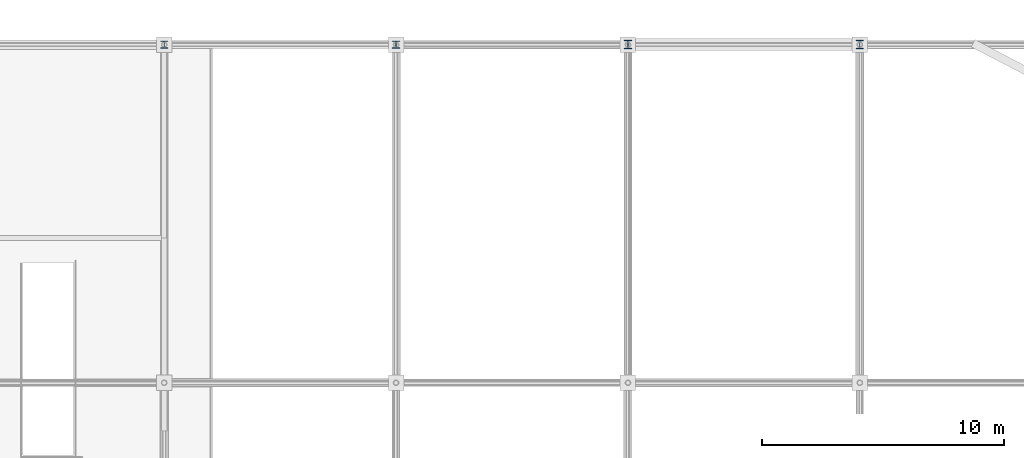
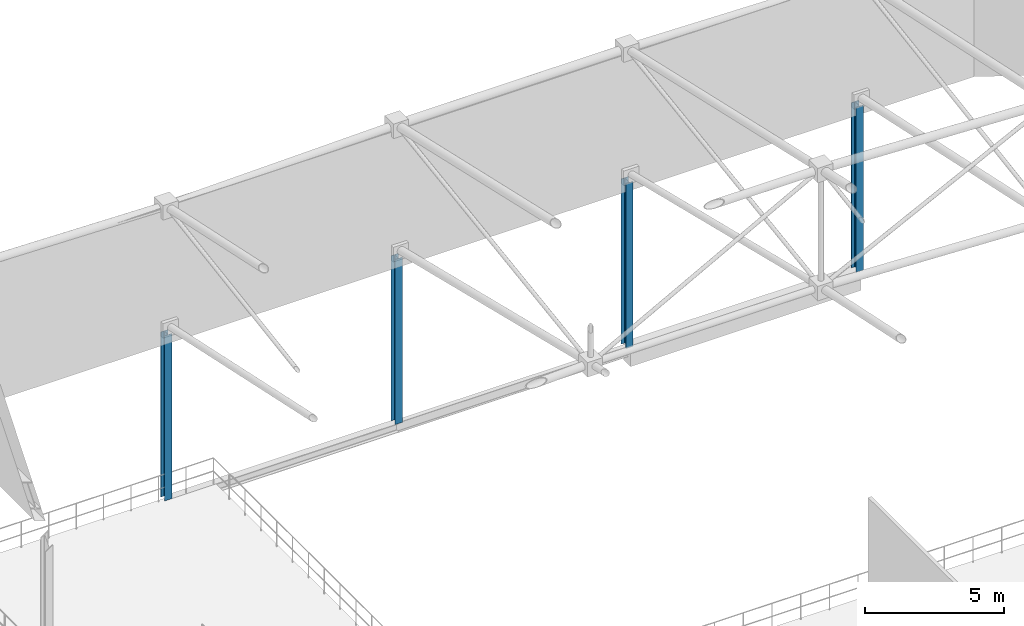
# One storey, part 23 of 193: 4 columns.
"""IFC4 building model written with IfcOpenShell, lengths in metres."""

from ifc_helpers import new_model, si_unit, direction, frame, origin, origin_2d, place, context, subcontext, project, spatial, i_section, extrude, material, material_profile, profile_set, type_object, element, save


model = new_model("IFC4")

# Units and contexts
model_context = context("Model", 3, precision=1e-05, world=origin(), true_north=direction((0.0, 1.0)))
body_context = subcontext(model_context, "Body", "Model", "MODEL_VIEW")
ifc_project = project(units=[si_unit("LENGTHUNIT", "METRE"), si_unit("AREAUNIT", "SQUARE_METRE"), si_unit("VOLUMEUNIT", "CUBIC_METRE"), si_unit("PLANEANGLEUNIT", "RADIAN"), si_unit("MASSUNIT", "GRAM", prefix="KILO")], contexts=[model_context])

# Site, building, storey
site_placement = place(None, origin())
site = spatial("IfcSite", under=ifc_project, at=site_placement, CompositionType="ELEMENT")
building_placement = place(site_placement, origin())
building = spatial("IfcBuilding", under=site, at=building_placement, Name="Danafjord Basin Convention Centre", CompositionType="ELEMENT")
storey_placement = place(building_placement, frame((0.0, 0.0, 11.39990234375)))
storey = spatial("IfcBuildingStorey", under=building, at=storey_placement, Name="L02", CompositionType="ELEMENT", Elevation=11.39990234375)

# Columns
ifc_material = material(Name="Steel S355", Category="steel")
ifc_material_profile_1 = material_profile(ifc_material, i_section(OverallWidth=0.300048828125, OverallDepth=0.300048828125, WebThickness=0.010986328125, FlangeThickness=0.01904296875, FilletRadius=0.027099609375, at=origin_2d()), Name="HEB 300")
ifc_profile_set_1 = profile_set([ifc_material_profile_1], Name="Steel S355")
column_type_1 = type_object("IfcColumnType", Name="COL-C-HEB300", PredefinedType="COLUMN", material=ifc_profile_set_1)
for number, where, z_axis, x_axis, name in (
    (1, (144.0, 144.0, 0.0), (0.0, 0.0, 1.0), (1.0, 0.0, 0.0), "L02 column C-HEB300 at (144.0, 144.0)"),
    (2, (153.60009765625, 144.0, 0.0), (0.0, 0.0, 1.0), (1.0, 0.0, 0.0), "L02 column C-HEB300 at (153.6, 144.0)"),
):
    element("IfcColumn", number, at=place(storey_placement, frame(where, z_axis=z_axis, x_axis=x_axis)), inside=storey, type_object=column_type_1, Name=name, PredefinedType="COLUMN", context=body_context, shape_type="SweptSolid", body=[
        extrude(i_section(OverallWidth=0.300048828125, OverallDepth=0.300048828125, WebThickness=0.010986328125, FlangeThickness=0.01904296875, FilletRadius=0.027099609375, at=origin_2d()), origin(), (0.0, 0.0, 1.0), 7.27001953125),
    ])
ifc_material_profile_2 = material_profile(ifc_material, i_section(OverallWidth=0.300048828125, OverallDepth=0.360107421875, WebThickness=0.012451171875, FlangeThickness=0.0224609375, FilletRadius=0.027099609375, at=origin_2d()), Name="HEB 360")
ifc_profile_set_2 = profile_set([ifc_material_profile_2], Name="Steel S355")
column_type_2 = type_object("IfcColumnType", Name="COL-C-HEB360", PredefinedType="COLUMN", material=ifc_profile_set_2)
for number, where, z_axis, x_axis, name in (
    (3, (163.199951171875, 144.0, 0.0), (0.0, 0.0, 1.0), (1.0, 0.0, 0.0), "L02 column C-HEB360 at (163.2, 144.0)"),
    (4, (172.800048828125, 144.0, 0.0), (0.0, 0.0, 1.0), (1.0, 0.0, 0.0), "L02 column C-HEB360 at (172.8, 144.0)"),
):
    element("IfcColumn", number, at=place(storey_placement, frame(where, z_axis=z_axis, x_axis=x_axis)), inside=storey, type_object=column_type_2, Name=name, PredefinedType="COLUMN", context=body_context, shape_type="SweptSolid", body=[
        extrude(i_section(OverallWidth=0.300048828125, OverallDepth=0.360107421875, WebThickness=0.012451171875, FlangeThickness=0.0224609375, FilletRadius=0.027099609375, at=origin_2d()), origin(), (0.0, 0.0, 1.0), 7.27001953125),
    ])

save(model, "model.ifc")
